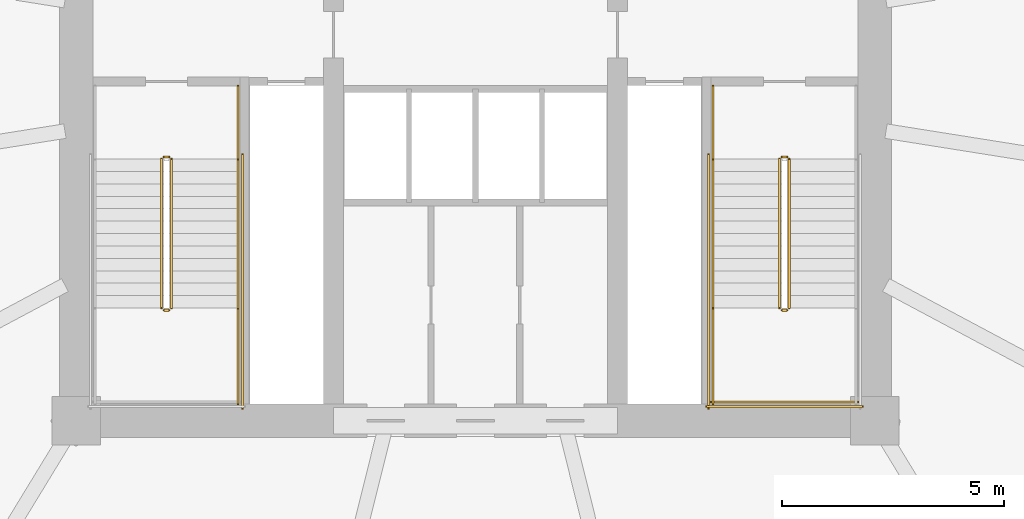
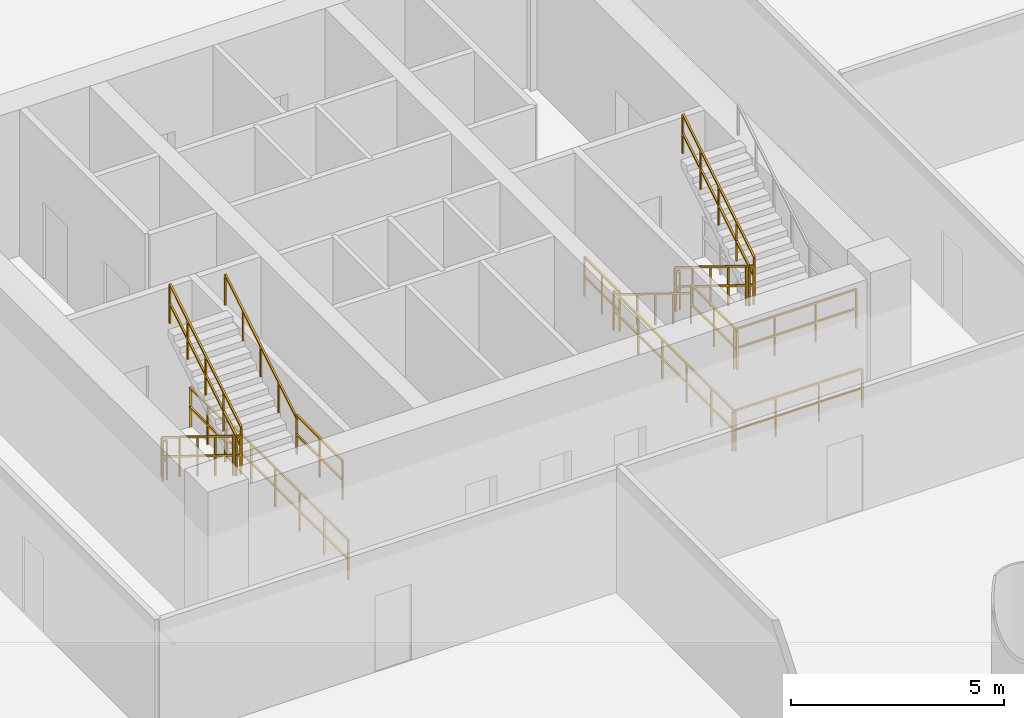
# One storey, part 29 of 36: 18 railings.
"""IFC4 building model written with IfcOpenShell, lengths in metres."""

from ifc_helpers import new_model, si_unit, direction, frame, origin, origin_2d, place, context, subcontext, project, spatial, rectangle, extrude, material, type_object, element, save


model = new_model("IFC4")

# Units and contexts
model_context = context("Model", 3, precision=1e-05, world=origin(), true_north=direction((-0.2419218956, 0.970295726276)))
body_context = subcontext(model_context, "Body", "Model", "MODEL_VIEW")
ifc_project = project(units=[si_unit("LENGTHUNIT", "METRE"), si_unit("AREAUNIT", "SQUARE_METRE"), si_unit("VOLUMEUNIT", "CUBIC_METRE"), si_unit("PLANEANGLEUNIT", "RADIAN"), si_unit("MASSUNIT", "GRAM", prefix="KILO")], contexts=[model_context])

# Site, building, storey
site_placement = place(None, origin())
site = spatial("IfcSite", under=ifc_project, at=site_placement, CompositionType="ELEMENT")
building_placement = place(site_placement, origin())
building = spatial("IfcBuilding", under=site, at=building_placement, Name="Cobrevalo Terracotta Tower", CompositionType="ELEMENT")
storey_placement = place(building_placement, frame((0.0, 0.0, 9.89990234375)))
storey = spatial("IfcBuildingStorey", under=building, at=storey_placement, Name="L02", CompositionType="ELEMENT", Elevation=9.89990234375)

# Railings
ifc_material_1 = material(Name="Brushed stainless steel", Category="steel")
railing_type_1 = type_object("IfcRailingType", Name="Stainless Steel Stair Handrail 900", PredefinedType="HANDRAIL", material=ifc_material_1)
railing_1_placement = place(storey_placement, frame((32.64501953125, 21.340087890625, 2.423095703125)))
element("IfcRailing", 1, at=railing_1_placement, inside=storey, type_object=railing_type_1, Name="L02 ST-1 stair handrail 2", PredefinedType="HANDRAIL", context=body_context, shape_type="SweptSolid", body=[
    extrude(rectangle(XDim=0.048095703125, YDim=0.048095703125, at=origin_2d()), frame((0.0, 0.0, 0.8759765625), z_axis=(0.0, 0.850606129759, 0.525803396734), x_axis=(-1.0, 0.0, 0.0)), (0.0, 0.0, 1.0), 3.949951171875),
    extrude(rectangle(XDim=0.0419921875, YDim=0.0419921875, at=origin_2d()), origin(), (0.0, 0.0, 1.0), 0.851806640625),
    extrude(rectangle(XDim=0.0419921875, YDim=0.0419921875, at=origin_2d()), frame((0.0, 0.83984375, 0.519287109375)), (0.0, 0.0, 1.0), 0.851806640625),
    extrude(rectangle(XDim=0.0419921875, YDim=0.0419921875, at=origin_2d()), frame((0.0, 1.679931640625, 1.03857421875)), (0.0, 0.0, 1.0), 0.851806640625),
    extrude(rectangle(XDim=0.0419921875, YDim=0.0419921875, at=origin_2d()), frame((0.0, 2.52001953125, 1.5576171875)), (0.0, 0.0, 1.0), 0.851806640625),
    extrude(rectangle(XDim=0.0419921875, YDim=0.0419921875, at=origin_2d()), frame((0.0, 3.35986328125, 2.076904296875)), (0.0, 0.0, 1.0), 0.851806640625),
])
railing_2_placement = place(storey_placement, frame((43.35498046875, 24.699951171875, 0.173095703125)))
element("IfcRailing", 2, at=railing_2_placement, inside=storey, type_object=railing_type_1, Name="L02 ST-2 stair handrail 1", PredefinedType="HANDRAIL", context=body_context, shape_type="SweptSolid", body=[
    extrude(rectangle(XDim=0.048095703125, YDim=0.048095703125, at=origin_2d()), frame((0.0, 0.0, 0.8759765625), z_axis=(0.0, -0.850606129759, 0.525803396734), x_axis=(1.0, 0.0, 0.0)), (0.0, 0.0, 1.0), 3.949951171875),
    extrude(rectangle(XDim=0.0419921875, YDim=0.0419921875, at=origin_2d()), origin(), (0.0, 0.0, 1.0), 0.851806640625),
    extrude(rectangle(XDim=0.0419921875, YDim=0.0419921875, at=origin_2d()), frame((0.0, -0.83984375, 0.519287109375)), (0.0, 0.0, 1.0), 0.851806640625),
    extrude(rectangle(XDim=0.0419921875, YDim=0.0419921875, at=origin_2d()), frame((0.0, -1.679931640625, 1.03857421875)), (0.0, 0.0, 1.0), 0.851806640625),
    extrude(rectangle(XDim=0.0419921875, YDim=0.0419921875, at=origin_2d()), frame((0.0, -2.52001953125, 1.5576171875)), (0.0, 0.0, 1.0), 0.851806640625),
    extrude(rectangle(XDim=0.0419921875, YDim=0.0419921875, at=origin_2d()), frame((0.0, -3.35986328125, 2.076904296875)), (0.0, 0.0, 1.0), 0.851806640625),
])
ifc_material_2 = material(Name="Painted galvanized steel", Category="steel")
railing_type_2 = type_object("IfcRailingType", Name="Stair Well Guard Balustrade 1150", PredefinedType="GUARDRAIL", material=ifc_material_2)
railing_3_placement = place(storey_placement, frame((30.925048828125, 24.699951171875, 0.173095703125)))
element("IfcRailing", 3, at=railing_3_placement, inside=storey, type_object=railing_type_2, Name="L02 ST-1 stair guard 1", PredefinedType="GUARDRAIL", context=body_context, shape_type="SweptSolid", body=[
    extrude(rectangle(XDim=0.048095703125, YDim=0.048095703125, at=origin_2d()), frame((0.0, 0.0, 1.1259765625), z_axis=(0.0, -0.850606129759, 0.525803396734), x_axis=(1.0, 0.0, 0.0)), (0.0, 0.0, 1.0), 3.949951171875),
    extrude(rectangle(XDim=0.048095703125, YDim=0.048095703125, at=origin_2d()), frame((0.0, 0.0, 0.574951171875), z_axis=(0.0, -0.850606129759, 0.525803396734), x_axis=(1.0, 0.0, 0.0)), (0.0, 0.0, 1.0), 3.949951171875),
    extrude(rectangle(XDim=0.0419921875, YDim=0.0419921875, at=origin_2d()), origin(), (0.0, 0.0, 1.0), 1.101806640625),
    extrude(rectangle(XDim=0.0419921875, YDim=0.0419921875, at=origin_2d()), frame((0.0, -0.83984375, 0.519287109375)), (0.0, 0.0, 1.0), 1.101806640625),
    extrude(rectangle(XDim=0.0419921875, YDim=0.0419921875, at=origin_2d()), frame((0.0, -1.679931640625, 1.03857421875)), (0.0, 0.0, 1.0), 1.101806640625),
    extrude(rectangle(XDim=0.0419921875, YDim=0.0419921875, at=origin_2d()), frame((0.0, -2.52001953125, 1.5576171875)), (0.0, 0.0, 1.0), 1.101806640625),
    extrude(rectangle(XDim=0.0419921875, YDim=0.0419921875, at=origin_2d()), frame((0.0, -3.35986328125, 2.076904296875)), (0.0, 0.0, 1.0), 1.101806640625),
])
railing_4_placement = place(storey_placement, frame((30.97509765625, 21.2900390625, 2.25)))
element("IfcRailing", 4, at=railing_4_placement, inside=storey, type_object=railing_type_2, Name="L02 ST-1 stair guard 2", PredefinedType="GUARDRAIL", context=body_context, shape_type="SweptSolid", body=[
    extrude(rectangle(XDim=0.048095703125, YDim=0.048095703125, at=origin_2d()), frame((0.0, 0.0, 1.1259765625), z_axis=(1.0, 0.0, 0.0), x_axis=(0.0, 1.0, 0.0)), (0.0, 0.0, 1.0), 0.119873046875),
    extrude(rectangle(XDim=0.048095703125, YDim=0.048095703125, at=origin_2d()), frame((0.0, 0.0, 0.574951171875), z_axis=(1.0, 0.0, 0.0), x_axis=(0.0, 1.0, 0.0)), (0.0, 0.0, 1.0), 0.119873046875),
    extrude(rectangle(XDim=0.0419921875, YDim=0.0419921875, at=origin_2d()), origin(), (0.0, 0.0, 1.0), 1.101806640625),
    extrude(rectangle(XDim=0.0419921875, YDim=0.0419921875, at=origin_2d()), frame((0.119873046875, 0.0, 0.0)), (0.0, 0.0, 1.0), 1.101806640625),
])
railing_5_placement = place(storey_placement, frame((32.64501953125, 21.340087890625, 2.25)))
element("IfcRailing", 5, at=railing_5_placement, inside=storey, type_object=railing_type_2, Name="L02 ST-1 stair guard 4", PredefinedType="GUARDRAIL", context=body_context, shape_type="SweptSolid", body=[
    extrude(rectangle(XDim=0.048095703125, YDim=0.048095703125, at=origin_2d()), frame((0.0, 0.0, 1.1259765625), z_axis=(0.0, -1.0, 0.0), x_axis=(1.0, 0.0, 0.0)), (0.0, 0.0, 1.0), 2.1650390625),
    extrude(rectangle(XDim=0.048095703125, YDim=0.048095703125, at=origin_2d()), frame((0.0, 0.0, 0.574951171875), z_axis=(0.0, -1.0, 0.0), x_axis=(1.0, 0.0, 0.0)), (0.0, 0.0, 1.0), 2.1650390625),
    extrude(rectangle(XDim=0.0419921875, YDim=0.0419921875, at=origin_2d()), origin(), (0.0, 0.0, 1.0), 1.101806640625),
    extrude(rectangle(XDim=0.0419921875, YDim=0.0419921875, at=origin_2d()), frame((0.0, -1.08251953125, 0.0)), (0.0, 0.0, 1.0), 1.101806640625),
    extrude(rectangle(XDim=0.0419921875, YDim=0.0419921875, at=origin_2d()), frame((0.0, -2.1650390625, 0.0)), (0.0, 0.0, 1.0), 1.101806640625),
])
railing_6_placement = place(storey_placement, frame((31.14501953125, 21.340087890625, 2.423095703125)))
element("IfcRailing", 6, at=railing_6_placement, inside=storey, type_object=railing_type_2, Name="L02 ST-1 stair guard 6", PredefinedType="GUARDRAIL", context=body_context, shape_type="SweptSolid", body=[
    extrude(rectangle(XDim=0.048095703125, YDim=0.048095703125, at=origin_2d()), frame((0.0, 0.0, 1.1259765625), z_axis=(0.0, 0.850606129759, 0.525803396734), x_axis=(-1.0, 0.0, 0.0)), (0.0, 0.0, 1.0), 3.949951171875),
    extrude(rectangle(XDim=0.048095703125, YDim=0.048095703125, at=origin_2d()), frame((0.0, 0.0, 0.574951171875), z_axis=(0.0, 0.850606129759, 0.525803396734), x_axis=(-1.0, 0.0, 0.0)), (0.0, 0.0, 1.0), 3.949951171875),
    extrude(rectangle(XDim=0.0419921875, YDim=0.0419921875, at=origin_2d()), origin(), (0.0, 0.0, 1.0), 1.101806640625),
    extrude(rectangle(XDim=0.0419921875, YDim=0.0419921875, at=origin_2d()), frame((0.0, 0.83984375, 0.519287109375)), (0.0, 0.0, 1.0), 1.101806640625),
    extrude(rectangle(XDim=0.0419921875, YDim=0.0419921875, at=origin_2d()), frame((0.0, 1.679931640625, 1.03857421875)), (0.0, 0.0, 1.0), 1.101806640625),
    extrude(rectangle(XDim=0.0419921875, YDim=0.0419921875, at=origin_2d()), frame((0.0, 2.52001953125, 1.5576171875)), (0.0, 0.0, 1.0), 1.101806640625),
    extrude(rectangle(XDim=0.0419921875, YDim=0.0419921875, at=origin_2d()), frame((0.0, 3.35986328125, 2.076904296875)), (0.0, 0.0, 1.0), 1.101806640625),
])
railing_7_placement = place(storey_placement, frame((30.97509765625, 24.75, 0.0)))
element("IfcRailing", 7, at=railing_7_placement, inside=storey, type_object=railing_type_2, Name="L02 ST-1 stair guard 7", PredefinedType="GUARDRAIL", context=body_context, shape_type="SweptSolid", body=[
    extrude(rectangle(XDim=0.048095703125, YDim=0.048095703125, at=origin_2d()), frame((0.0, 0.0, 1.1259765625), z_axis=(1.0, 0.0, 0.0), x_axis=(0.0, 1.0, 0.0)), (0.0, 0.0, 1.0), 0.119873046875),
    extrude(rectangle(XDim=0.048095703125, YDim=0.048095703125, at=origin_2d()), frame((0.0, 0.0, 0.574951171875), z_axis=(1.0, 0.0, 0.0), x_axis=(0.0, 1.0, 0.0)), (0.0, 0.0, 1.0), 0.119873046875),
    extrude(rectangle(XDim=0.0419921875, YDim=0.0419921875, at=origin_2d()), origin(), (0.0, 0.0, 1.0), 1.101806640625),
    extrude(rectangle(XDim=0.0419921875, YDim=0.0419921875, at=origin_2d()), frame((0.119873046875, 0.0, 0.0)), (0.0, 0.0, 1.0), 1.101806640625),
])
railing_8_placement = place(storey_placement, frame((32.64501953125, 26.35009765625, 0.0)))
element("IfcRailing", 8, at=railing_8_placement, inside=storey, type_object=railing_type_2, Name="L02 ST-1 stair guard 9", PredefinedType="GUARDRAIL", context=body_context, shape_type="SweptSolid", body=[
    extrude(rectangle(XDim=0.048095703125, YDim=0.048095703125, at=origin_2d()), frame((0.0, 0.0, 1.1259765625), z_axis=(0.0, -1.0, 0.0), x_axis=(1.0, 0.0, 0.0)), (0.0, 0.0, 1.0), 1.650146484375),
    extrude(rectangle(XDim=0.048095703125, YDim=0.048095703125, at=origin_2d()), frame((0.0, 0.0, 0.574951171875), z_axis=(0.0, -1.0, 0.0), x_axis=(1.0, 0.0, 0.0)), (0.0, 0.0, 1.0), 1.650146484375),
    extrude(rectangle(XDim=0.0419921875, YDim=0.0419921875, at=origin_2d()), origin(), (0.0, 0.0, 1.0), 1.101806640625),
    extrude(rectangle(XDim=0.0419921875, YDim=0.0419921875, at=origin_2d()), frame((0.0, -0.8251953125, 0.0)), (0.0, 0.0, 1.0), 1.101806640625),
    extrude(rectangle(XDim=0.0419921875, YDim=0.0419921875, at=origin_2d()), frame((0.0, -1.650146484375, 0.0)), (0.0, 0.0, 1.0), 1.101806640625),
])
railing_9_placement = place(storey_placement, frame((32.7451171875, 24.800048828125, 0.0)))
element("IfcRailing", 9, at=railing_9_placement, inside=storey, type_object=railing_type_2, Name="L02 ST-1 stair guard 11", PredefinedType="GUARDRAIL", context=body_context, shape_type="SweptSolid", body=[
    extrude(rectangle(XDim=0.048095703125, YDim=0.048095703125, at=origin_2d()), frame((0.0, 0.0, 1.1259765625), z_axis=(0.0, -1.0, 0.0), x_axis=(1.0, 0.0, 0.0)), (0.0, 0.0, 1.0), 5.72509765625),
    extrude(rectangle(XDim=0.048095703125, YDim=0.048095703125, at=origin_2d()), frame((0.0, 0.0, 0.574951171875), z_axis=(0.0, -1.0, 0.0), x_axis=(1.0, 0.0, 0.0)), (0.0, 0.0, 1.0), 5.72509765625),
    extrude(rectangle(XDim=0.0419921875, YDim=0.0419921875, at=origin_2d()), origin(), (0.0, 0.0, 1.0), 1.101806640625),
    extrude(rectangle(XDim=0.0419921875, YDim=0.0419921875, at=origin_2d()), frame((0.0, -1.14501953125, 0.0)), (0.0, 0.0, 1.0), 1.101806640625),
    extrude(rectangle(XDim=0.0419921875, YDim=0.0419921875, at=origin_2d()), frame((0.0, -2.2900390625, 0.0)), (0.0, 0.0, 1.0), 1.101806640625),
    extrude(rectangle(XDim=0.0419921875, YDim=0.0419921875, at=origin_2d()), frame((0.0, -3.43505859375, 0.0)), (0.0, 0.0, 1.0), 1.101806640625),
    extrude(rectangle(XDim=0.0419921875, YDim=0.0419921875, at=origin_2d()), frame((0.0, -4.580078125, 0.0)), (0.0, 0.0, 1.0), 1.101806640625),
    extrude(rectangle(XDim=0.0419921875, YDim=0.0419921875, at=origin_2d()), frame((0.0, -5.72509765625, 0.0)), (0.0, 0.0, 1.0), 1.101806640625),
])
railing_10_placement = place(storey_placement, frame((44.85498046875, 24.699951171875, 0.173095703125)))
element("IfcRailing", 10, at=railing_10_placement, inside=storey, type_object=railing_type_2, Name="L02 ST-2 stair guard 1", PredefinedType="GUARDRAIL", context=body_context, shape_type="SweptSolid", body=[
    extrude(rectangle(XDim=0.048095703125, YDim=0.048095703125, at=origin_2d()), frame((0.0, 0.0, 1.1259765625), z_axis=(0.0, -0.850606129759, 0.525803396734), x_axis=(1.0, 0.0, 0.0)), (0.0, 0.0, 1.0), 3.949951171875),
    extrude(rectangle(XDim=0.048095703125, YDim=0.048095703125, at=origin_2d()), frame((0.0, 0.0, 0.574951171875), z_axis=(0.0, -0.850606129759, 0.525803396734), x_axis=(1.0, 0.0, 0.0)), (0.0, 0.0, 1.0), 3.949951171875),
    extrude(rectangle(XDim=0.0419921875, YDim=0.0419921875, at=origin_2d()), origin(), (0.0, 0.0, 1.0), 1.101806640625),
    extrude(rectangle(XDim=0.0419921875, YDim=0.0419921875, at=origin_2d()), frame((0.0, -0.83984375, 0.519287109375)), (0.0, 0.0, 1.0), 1.101806640625),
    extrude(rectangle(XDim=0.0419921875, YDim=0.0419921875, at=origin_2d()), frame((0.0, -1.679931640625, 1.03857421875)), (0.0, 0.0, 1.0), 1.101806640625),
    extrude(rectangle(XDim=0.0419921875, YDim=0.0419921875, at=origin_2d()), frame((0.0, -2.52001953125, 1.5576171875)), (0.0, 0.0, 1.0), 1.101806640625),
    extrude(rectangle(XDim=0.0419921875, YDim=0.0419921875, at=origin_2d()), frame((0.0, -3.35986328125, 2.076904296875)), (0.0, 0.0, 1.0), 1.101806640625),
])
railing_11_placement = place(storey_placement, frame((44.905029296875, 21.2900390625, 2.25)))
element("IfcRailing", 11, at=railing_11_placement, inside=storey, type_object=railing_type_2, Name="L02 ST-2 stair guard 2", PredefinedType="GUARDRAIL", context=body_context, shape_type="SweptSolid", body=[
    extrude(rectangle(XDim=0.048095703125, YDim=0.048095703125, at=origin_2d()), frame((0.0, 0.0, 1.1259765625), z_axis=(1.0, 0.0, 0.0), x_axis=(0.0, 1.0, 0.0)), (0.0, 0.0, 1.0), 0.119873046875),
    extrude(rectangle(XDim=0.048095703125, YDim=0.048095703125, at=origin_2d()), frame((0.0, 0.0, 0.574951171875), z_axis=(1.0, 0.0, 0.0), x_axis=(0.0, 1.0, 0.0)), (0.0, 0.0, 1.0), 0.119873046875),
    extrude(rectangle(XDim=0.0419921875, YDim=0.0419921875, at=origin_2d()), origin(), (0.0, 0.0, 1.0), 1.101806640625),
    extrude(rectangle(XDim=0.0419921875, YDim=0.0419921875, at=origin_2d()), frame((0.119873046875, 0.0, 0.0)), (0.0, 0.0, 1.0), 1.101806640625),
])
railing_12_placement = place(storey_placement, frame((43.35498046875, 21.340087890625, 2.25)))
element("IfcRailing", 12, at=railing_12_placement, inside=storey, type_object=railing_type_2, Name="L02 ST-2 stair guard 3", PredefinedType="GUARDRAIL", context=body_context, shape_type="SweptSolid", body=[
    extrude(rectangle(XDim=0.048095703125, YDim=0.048095703125, at=origin_2d()), frame((0.0, 0.0, 1.1259765625), z_axis=(0.0, -1.0, 0.0), x_axis=(1.0, 0.0, 0.0)), (0.0, 0.0, 1.0), 2.1650390625),
    extrude(rectangle(XDim=0.048095703125, YDim=0.048095703125, at=origin_2d()), frame((0.0, 0.0, 0.574951171875), z_axis=(0.0, -1.0, 0.0), x_axis=(1.0, 0.0, 0.0)), (0.0, 0.0, 1.0), 2.1650390625),
    extrude(rectangle(XDim=0.0419921875, YDim=0.0419921875, at=origin_2d()), origin(), (0.0, 0.0, 1.0), 1.101806640625),
    extrude(rectangle(XDim=0.0419921875, YDim=0.0419921875, at=origin_2d()), frame((0.0, -1.08251953125, 0.0)), (0.0, 0.0, 1.0), 1.101806640625),
    extrude(rectangle(XDim=0.0419921875, YDim=0.0419921875, at=origin_2d()), frame((0.0, -2.1650390625, 0.0)), (0.0, 0.0, 1.0), 1.101806640625),
])
railing_13_placement = place(storey_placement, frame((43.304931640625, 19.22509765625, 2.25)))
element("IfcRailing", 13, at=railing_13_placement, inside=storey, type_object=railing_type_2, Name="L02 ST-2 stair guard 5", PredefinedType="GUARDRAIL", context=body_context, shape_type="SweptSolid", body=[
    extrude(rectangle(XDim=0.048095703125, YDim=0.048095703125, at=origin_2d()), frame((0.0, 0.0, 1.1259765625), z_axis=(1.0, 0.0, 0.0), x_axis=(0.0, 1.0, 0.0)), (0.0, 0.0, 1.0), 3.320068359375),
    extrude(rectangle(XDim=0.048095703125, YDim=0.048095703125, at=origin_2d()), frame((0.0, 0.0, 0.574951171875), z_axis=(1.0, 0.0, 0.0), x_axis=(0.0, 1.0, 0.0)), (0.0, 0.0, 1.0), 3.320068359375),
    extrude(rectangle(XDim=0.0419921875, YDim=0.0419921875, at=origin_2d()), origin(), (0.0, 0.0, 1.0), 1.101806640625),
    extrude(rectangle(XDim=0.0419921875, YDim=0.0419921875, at=origin_2d()), frame((1.106689453125, 0.0, 0.0)), (0.0, 0.0, 1.0), 1.101806640625),
    extrude(rectangle(XDim=0.0419921875, YDim=0.0419921875, at=origin_2d()), frame((2.21337890625, 0.0, 0.0)), (0.0, 0.0, 1.0), 1.101806640625),
    extrude(rectangle(XDim=0.0419921875, YDim=0.0419921875, at=origin_2d()), frame((3.320068359375, 0.0, 0.0)), (0.0, 0.0, 1.0), 1.101806640625),
])
railing_14_placement = place(storey_placement, frame((45.074951171875, 21.340087890625, 2.423095703125)))
element("IfcRailing", 14, at=railing_14_placement, inside=storey, type_object=railing_type_2, Name="L02 ST-2 stair guard 6", PredefinedType="GUARDRAIL", context=body_context, shape_type="SweptSolid", body=[
    extrude(rectangle(XDim=0.048095703125, YDim=0.048095703125, at=origin_2d()), frame((0.0, 0.0, 1.1259765625), z_axis=(0.0, 0.850606129759, 0.525803396734), x_axis=(-1.0, 0.0, 0.0)), (0.0, 0.0, 1.0), 3.949951171875),
    extrude(rectangle(XDim=0.048095703125, YDim=0.048095703125, at=origin_2d()), frame((0.0, 0.0, 0.574951171875), z_axis=(0.0, 0.850606129759, 0.525803396734), x_axis=(-1.0, 0.0, 0.0)), (0.0, 0.0, 1.0), 3.949951171875),
    extrude(rectangle(XDim=0.0419921875, YDim=0.0419921875, at=origin_2d()), origin(), (0.0, 0.0, 1.0), 1.101806640625),
    extrude(rectangle(XDim=0.0419921875, YDim=0.0419921875, at=origin_2d()), frame((0.0, 0.83984375, 0.519287109375)), (0.0, 0.0, 1.0), 1.101806640625),
    extrude(rectangle(XDim=0.0419921875, YDim=0.0419921875, at=origin_2d()), frame((0.0, 1.679931640625, 1.03857421875)), (0.0, 0.0, 1.0), 1.101806640625),
    extrude(rectangle(XDim=0.0419921875, YDim=0.0419921875, at=origin_2d()), frame((0.0, 2.52001953125, 1.5576171875)), (0.0, 0.0, 1.0), 1.101806640625),
    extrude(rectangle(XDim=0.0419921875, YDim=0.0419921875, at=origin_2d()), frame((0.0, 3.35986328125, 2.076904296875)), (0.0, 0.0, 1.0), 1.101806640625),
])
railing_15_placement = place(storey_placement, frame((44.905029296875, 24.75, 0.0)))
element("IfcRailing", 15, at=railing_15_placement, inside=storey, type_object=railing_type_2, Name="L02 ST-2 stair guard 7", PredefinedType="GUARDRAIL", context=body_context, shape_type="SweptSolid", body=[
    extrude(rectangle(XDim=0.048095703125, YDim=0.048095703125, at=origin_2d()), frame((0.0, 0.0, 1.1259765625), z_axis=(1.0, 0.0, 0.0), x_axis=(0.0, 1.0, 0.0)), (0.0, 0.0, 1.0), 0.119873046875),
    extrude(rectangle(XDim=0.048095703125, YDim=0.048095703125, at=origin_2d()), frame((0.0, 0.0, 0.574951171875), z_axis=(1.0, 0.0, 0.0), x_axis=(0.0, 1.0, 0.0)), (0.0, 0.0, 1.0), 0.119873046875),
    extrude(rectangle(XDim=0.0419921875, YDim=0.0419921875, at=origin_2d()), origin(), (0.0, 0.0, 1.0), 1.101806640625),
    extrude(rectangle(XDim=0.0419921875, YDim=0.0419921875, at=origin_2d()), frame((0.119873046875, 0.0, 0.0)), (0.0, 0.0, 1.0), 1.101806640625),
])
railing_16_placement = place(storey_placement, frame((43.35498046875, 26.35009765625, 0.0)))
element("IfcRailing", 16, at=railing_16_placement, inside=storey, type_object=railing_type_2, Name="L02 ST-2 stair guard 8", PredefinedType="GUARDRAIL", context=body_context, shape_type="SweptSolid", body=[
    extrude(rectangle(XDim=0.048095703125, YDim=0.048095703125, at=origin_2d()), frame((0.0, 0.0, 1.1259765625), z_axis=(0.0, -1.0, 0.0), x_axis=(1.0, 0.0, 0.0)), (0.0, 0.0, 1.0), 1.650146484375),
    extrude(rectangle(XDim=0.048095703125, YDim=0.048095703125, at=origin_2d()), frame((0.0, 0.0, 0.574951171875), z_axis=(0.0, -1.0, 0.0), x_axis=(1.0, 0.0, 0.0)), (0.0, 0.0, 1.0), 1.650146484375),
    extrude(rectangle(XDim=0.0419921875, YDim=0.0419921875, at=origin_2d()), origin(), (0.0, 0.0, 1.0), 1.101806640625),
    extrude(rectangle(XDim=0.0419921875, YDim=0.0419921875, at=origin_2d()), frame((0.0, -0.8251953125, 0.0)), (0.0, 0.0, 1.0), 1.101806640625),
    extrude(rectangle(XDim=0.0419921875, YDim=0.0419921875, at=origin_2d()), frame((0.0, -1.650146484375, 0.0)), (0.0, 0.0, 1.0), 1.101806640625),
])
railing_17_placement = place(storey_placement, frame((43.2548828125, 24.800048828125, 0.0)))
element("IfcRailing", 17, at=railing_17_placement, inside=storey, type_object=railing_type_2, Name="L02 ST-2 stair guard 10", PredefinedType="GUARDRAIL", context=body_context, shape_type="SweptSolid", body=[
    extrude(rectangle(XDim=0.048095703125, YDim=0.048095703125, at=origin_2d()), frame((0.0, 0.0, 1.1259765625), z_axis=(0.0, -1.0, 0.0), x_axis=(1.0, 0.0, 0.0)), (0.0, 0.0, 1.0), 5.72509765625),
    extrude(rectangle(XDim=0.048095703125, YDim=0.048095703125, at=origin_2d()), frame((0.0, 0.0, 0.574951171875), z_axis=(0.0, -1.0, 0.0), x_axis=(1.0, 0.0, 0.0)), (0.0, 0.0, 1.0), 5.72509765625),
    extrude(rectangle(XDim=0.0419921875, YDim=0.0419921875, at=origin_2d()), origin(), (0.0, 0.0, 1.0), 1.101806640625),
    extrude(rectangle(XDim=0.0419921875, YDim=0.0419921875, at=origin_2d()), frame((0.0, -1.14501953125, 0.0)), (0.0, 0.0, 1.0), 1.101806640625),
    extrude(rectangle(XDim=0.0419921875, YDim=0.0419921875, at=origin_2d()), frame((0.0, -2.2900390625, 0.0)), (0.0, 0.0, 1.0), 1.101806640625),
    extrude(rectangle(XDim=0.0419921875, YDim=0.0419921875, at=origin_2d()), frame((0.0, -3.43505859375, 0.0)), (0.0, 0.0, 1.0), 1.101806640625),
    extrude(rectangle(XDim=0.0419921875, YDim=0.0419921875, at=origin_2d()), frame((0.0, -4.580078125, 0.0)), (0.0, 0.0, 1.0), 1.101806640625),
    extrude(rectangle(XDim=0.0419921875, YDim=0.0419921875, at=origin_2d()), frame((0.0, -5.72509765625, 0.0)), (0.0, 0.0, 1.0), 1.101806640625),
])
railing_18_placement = place(storey_placement, frame((43.205078125, 19.125, 0.0)))
element("IfcRailing", 18, at=railing_18_placement, inside=storey, type_object=railing_type_2, Name="L02 ST-2 stair guard 12", PredefinedType="GUARDRAIL", context=body_context, shape_type="SweptSolid", body=[
    extrude(rectangle(XDim=0.048095703125, YDim=0.048095703125, at=origin_2d()), frame((0.0, 0.0, 1.1259765625), z_axis=(1.0, 0.0, 0.0), x_axis=(0.0, 1.0, 0.0)), (0.0, 0.0, 1.0), 3.52001953125),
    extrude(rectangle(XDim=0.048095703125, YDim=0.048095703125, at=origin_2d()), frame((0.0, 0.0, 0.574951171875), z_axis=(1.0, 0.0, 0.0), x_axis=(0.0, 1.0, 0.0)), (0.0, 0.0, 1.0), 3.52001953125),
    extrude(rectangle(XDim=0.0419921875, YDim=0.0419921875, at=origin_2d()), origin(), (0.0, 0.0, 1.0), 1.101806640625),
    extrude(rectangle(XDim=0.0419921875, YDim=0.0419921875, at=origin_2d()), frame((1.17333984375, 0.0, 0.0)), (0.0, 0.0, 1.0), 1.101806640625),
    extrude(rectangle(XDim=0.0419921875, YDim=0.0419921875, at=origin_2d()), frame((2.3466796875, 0.0, 0.0)), (0.0, 0.0, 1.0), 1.101806640625),
    extrude(rectangle(XDim=0.0419921875, YDim=0.0419921875, at=origin_2d()), frame((3.52001953125, 0.0, 0.0)), (0.0, 0.0, 1.0), 1.101806640625),
])

save(model, "model.ifc")
